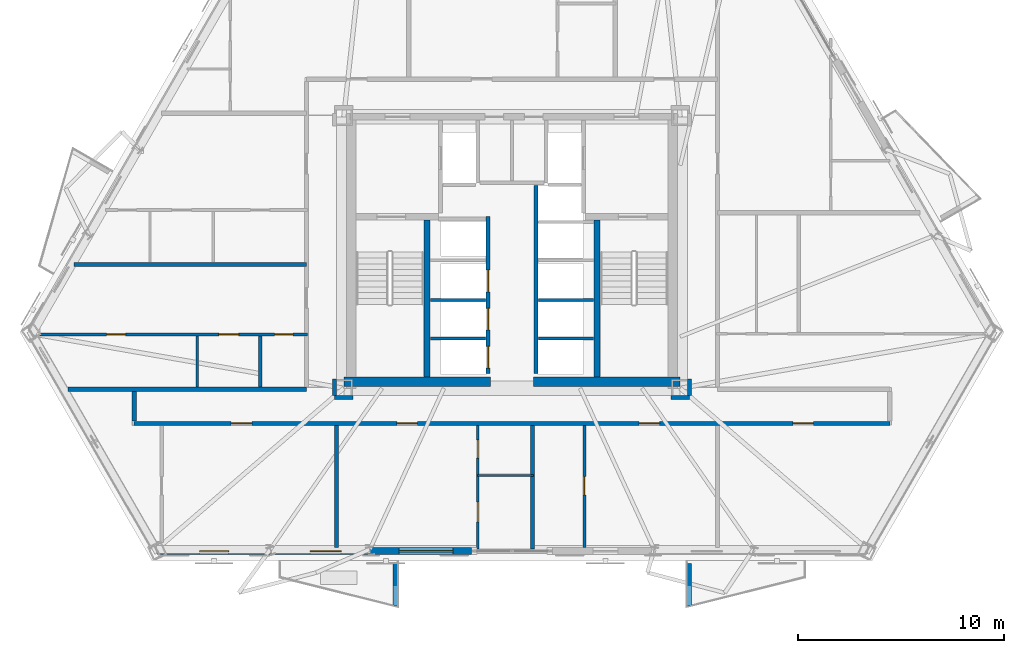
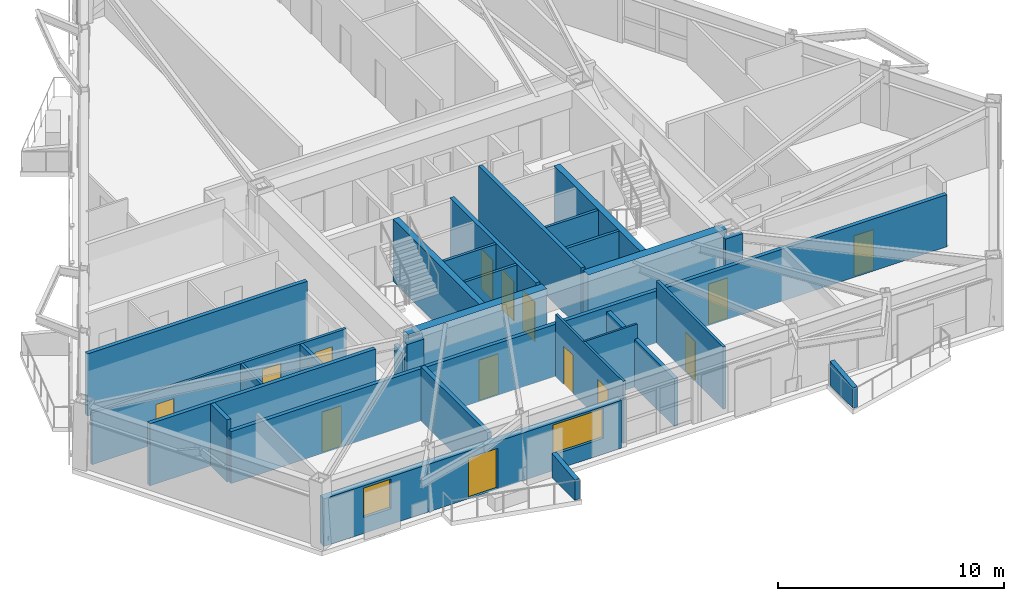
# One storey, part 7 of 15: 29 walls, 14 doors, 2 windows, 16 openings.
"""IFC4 building model written with IfcOpenShell, lengths in metres."""

from ifc_helpers import new_model, si_unit, direction, frame, frame_2d, origin, place, context, subcontext, project, spatial, polyline, rectangle, outline, extrude, material, layer, layer_set, type_object, element, fill, save


model = new_model("IFC4")

# Units and contexts
model_context = context("Model", 3, precision=1e-05, world=origin(), true_north=direction((0.0, 1.0)))
body_context = subcontext(model_context, "Body", "Model", "MODEL_VIEW")
ifc_project = project(units=[si_unit("LENGTHUNIT", "METRE"), si_unit("AREAUNIT", "SQUARE_METRE"), si_unit("VOLUMEUNIT", "CUBIC_METRE"), si_unit("PLANEANGLEUNIT", "RADIAN"), si_unit("MASSUNIT", "GRAM", prefix="KILO")], contexts=[model_context])

# Site, building, storey
site_placement = place(None, origin())
site = spatial("IfcSite", under=ifc_project, at=site_placement, CompositionType="ELEMENT")
building_placement = place(site_placement, origin())
building = spatial("IfcBuilding", under=site, at=building_placement, Name="Oramaril Tower", CompositionType="ELEMENT")
storey_placement = place(building_placement, frame((0.0, 0.0, 93.300048828125)))
storey = spatial("IfcBuildingStorey", under=building, at=storey_placement, Name="L24", CompositionType="ELEMENT", Elevation=93.300048828125)

# Wall, openings, door, windows
ifc_material_1 = material(Name="Warm Cream Limestone", Category="masonry")
ifc_layer_1 = layer(ifc_material_1, 0.340087890625)
ifc_layer_set_1 = layer_set([ifc_layer_1], Name="WT-EXT34")
wall_type_1 = type_object("IfcWallType", Name="WT-EXT34", PredefinedType="SOLIDWALL", material=ifc_layer_set_1)
wall_1_placement = place(storey_placement, frame((20.322021484375, 3.110107421875, 0.0), z_axis=(0.0, 0.0, 1.0), x_axis=(1.0, 0.0, 0.0)))
wall_1 = element("IfcWall", 1, at=wall_1_placement, inside=storey, type_object=wall_type_1, Name="L24 Tower Limestone Facade Wall 2L", PredefinedType="SOLIDWALL", context=body_context, shape_type="SweptSolid", body=[
    extrude(rectangle(XDim=15.22802734375, YDim=0.340087890625, at=frame_2d((7.614013671875, 0.0))), origin(), (0.0, 0.0, 1.0), 2.577880859375),
])
opening_1_placement = place(wall_1_placement, frame((7.404296875, 0.0, 0.0)))
opening_1 = element("IfcOpeningElement", 2, at=opening_1_placement, cuts=wall_1, Name="Opening D-L24-BAL-S1", PredefinedType="OPENING", context=body_context, shape_type="SweptSolid", body=[
    extrude(rectangle(XDim=1.5, YDim=2.199951171875, at=frame_2d((0.75, 1.10009765625))), frame((0.0, 0.169921875, 0.0), z_axis=(0.0, -1.0, 0.0), x_axis=(1.0, 0.0, 0.0)), (0.0, 0.0, 1.0), 0.340087890625),
])
opening_2_placement = place(wall_1_placement, frame((2.045166015625, 0.0, 0.85009765625)))
opening_2 = element("IfcOpeningElement", 3, at=opening_2_placement, cuts=wall_1, Name="Opening WN-08", PredefinedType="OPENING", context=body_context, shape_type="SweptSolid", body=[
    extrude(rectangle(XDim=1.39990234375, YDim=1.60009765625, at=frame_2d((0.699951171875, 0.800048828125))), frame((0.0, 0.169921875, 0.0), z_axis=(0.0, -1.0, 0.0), x_axis=(1.0, 0.0, 0.0)), (0.0, 0.0, 1.0), 0.340087890625),
])
opening_3_placement = place(wall_1_placement, frame((11.715087890625, 0.0, 0.85009765625)))
opening_3 = element("IfcOpeningElement", 4, at=opening_3_placement, cuts=wall_1, Name="Opening WN-02", PredefinedType="OPENING", context=body_context, shape_type="SweptSolid", body=[
    extrude(rectangle(XDim=2.60009765625, YDim=1.617919921875, at=frame_2d((1.300048828125, 0.80908203125))), frame((0.0, 0.169921875, 0.0), z_axis=(0.0, -1.0, 0.0), x_axis=(1.0, 0.0, 0.0)), (0.0, 0.0, 1.0), 0.340087890625),
])
ifc_material_2 = material(Name="Anodised Aluminium 6063-T6", Category="aluminium")
door_type_1 = type_object("IfcDoorType", Name="DT-BAL", OperationType="NOTDEFINED", PredefinedType="DOOR", material=ifc_material_2)
door_1_placement = place(opening_1_placement, origin())
door_1 = element("IfcDoor", 5, at=door_1_placement, inside=storey, type_object=door_type_1, Name="L24 Balcony Glazed Door L24-BAL-S1", OperationType="SINGLE_SWING_LEFT", OverallHeight=2.199951171875, OverallWidth=1.5, PredefinedType="DOOR", context=body_context, shape_type="SweptSolid", body=[
    extrude(rectangle(XDim=1.5, YDim=2.199951171875, at=frame_2d((0.75, 1.10009765625))), frame((0.0, 0.02490234375, 0.0), z_axis=(0.0, -1.0, 0.0), x_axis=(1.0, 0.0, 0.0)), (0.0, 0.0, 1.0), 0.050048828125),
])
fill(opening_1, door_1)
ifc_material_3 = material(Name="Coastal Low-E Insulated Glass", Category="glass")
window_type_1 = type_object("IfcWindowType", Name="WNT-02", PartitioningType="SINGLE_PANEL", PredefinedType="WINDOW", material=ifc_material_3)
window_1_placement = place(opening_3_placement, origin())
window_1 = element("IfcWindow", 6, at=window_1_placement, inside=storey, type_object=window_type_1, Name="L24 Chicago Bay Window WN-02", OverallHeight=1.617919921875, OverallWidth=2.60009765625, PartitioningType="SINGLE_PANEL", PredefinedType="WINDOW", context=body_context, shape_type="SweptSolid", body=[
    extrude(rectangle(XDim=2.60009765625, YDim=1.617919921875, at=frame_2d((1.300048828125, 0.80908203125))), frame((0.0, 0.030029296875, 0.0), z_axis=(0.0, -1.0, 0.0), x_axis=(1.0, 0.0, 0.0)), (0.0, 0.0, 1.0), 0.06005859375),
])
fill(opening_3, window_1)
ifc_material_4 = material(Name="Coastal Low-E Insulated Glass", Category="glass")
window_type_2 = type_object("IfcWindowType", Name="WNT-08", PartitioningType="SINGLE_PANEL", PredefinedType="WINDOW", material=ifc_material_4)
window_2_placement = place(opening_2_placement, origin())
window_2 = element("IfcWindow", 7, at=window_2_placement, inside=storey, type_object=window_type_2, Name="L24 Chicago Bay Window WN-08", OverallHeight=1.60009765625, OverallWidth=1.39990234375, PartitioningType="SINGLE_PANEL", PredefinedType="WINDOW", context=body_context, shape_type="SweptSolid", body=[
    extrude(rectangle(XDim=1.39990234375, YDim=1.60009765625, at=frame_2d((0.699951171875, 0.800048828125))), frame((0.0, 0.030029296875, 0.0), z_axis=(0.0, -1.0, 0.0), x_axis=(1.0, 0.0, 0.0)), (0.0, 0.0, 1.0), 0.06005859375),
])
fill(opening_2, window_2)

# Walls
ifc_material_5 = material(Name="Concrete C40/50", Category="concrete")
ifc_layer_2 = layer(ifc_material_5, 0.22998046875)
ifc_layer_set_2 = layer_set([ifc_layer_2], Name="WT-PRP23")
wall_type_2 = type_object("IfcWallType", Name="WT-PRP23", PredefinedType="PARAPET", material=ifc_layer_set_2)
for number, where, z_axis, x_axis, name in (
    (8, (31.851318359375, 2.511962890625, 0.0), (0.0, 0.0, 1.0), (0.0, -1.0, 0.0), "L24 Trapezoidal Balcony Frame Cheek L24-BAL-S1-R"),
    (9, (46.07373046875, 2.511962890625, 0.0), (0.0, 0.0, 1.0), (0.0, -1.0, 0.0), "L24 Trapezoidal Balcony Frame Cheek L24-BAL-S2-L"),
):
    element("IfcWall", number, at=place(storey_placement, frame(where, z_axis=z_axis, x_axis=x_axis)), inside=storey, type_object=wall_type_2, Name=name, PredefinedType="PARAPET", context=body_context, shape_type="SweptSolid", body=[
        extrude(outline(polyline([(0.0, 0.0), (2.0419921875, 0.0), (2.0419921875, 1.099853515625), (0.0, 1.320068359375), (0.0, 0.0)])), frame((0.0, 0.114990234375, 0.0), z_axis=(0.0, -1.0, 0.0), x_axis=(1.0, 0.0, 0.0)), (0.0, 0.0, 1.0), 0.22998046875),
    ])
ifc_material_6 = material(Name="Acoustic Gypsum Board Partition")
ifc_layer_3 = layer(ifc_material_6, 0.10009765625)
ifc_layer_set_3 = layer_set([ifc_layer_3], Name="WT-PT10")
wall_type_3 = type_object("IfcWallType", Name="WT-PT10", PredefinedType="PARTITIONING", material=ifc_layer_set_3)
wall_2_placement = place(storey_placement, frame((35.840087890625, 6.780029296875, 0.0), z_axis=(0.0, 0.0, 1.0), x_axis=(1.0, 0.0, 0.0)))
element("IfcWall", 10, at=wall_2_placement, inside=storey, type_object=wall_type_3, Name="L24 Interior Partition PT-10", PredefinedType="PARTITIONING", context=body_context, shape_type="SweptSolid", body=[
    extrude(rectangle(XDim=2.7099609375, YDim=0.10009765625, at=frame_2d((1.35498046875, 0.0))), origin(), (0.0, 0.0, 1.0), 3.35986328125),
])

# Wall, openings, doors
ifc_material_7 = material(Name="Acoustic Gypsum Board Partition")
ifc_layer_4 = layer(ifc_material_7, 0.1201171875)
ifc_layer_set_4 = layer_set([ifc_layer_4], Name="WT-PT12")
wall_type_4 = type_object("IfcWallType", Name="WT-PT12", PredefinedType="PARTITIONING", material=ifc_layer_set_4)
wall_3_placement = place(storey_placement, frame((35.840087890625, 3.2041015625, 0.0), z_axis=(0.0, 0.0, 1.0), x_axis=(0.0, 1.0, 0.0)))
wall_3 = element("IfcWall", 11, at=wall_3_placement, inside=storey, type_object=wall_type_4, Name="L24 Interior Partition PT-12", PredefinedType="PARTITIONING", context=body_context, shape_type="SweptSolid", body=[
    extrude(rectangle(XDim=5.991943359375, YDim=0.1201171875, at=frame_2d((2.99609375, 0.0))), origin(), (0.0, 0.0, 1.0), 3.35986328125),
])
opening_4_placement = place(wall_3_placement, frame((1.325927734375, 0.0, 0.0)))
opening_4 = element("IfcOpeningElement", 12, at=opening_4_placement, cuts=wall_3, Name="Opening D-L24-23", PredefinedType="OPENING", context=body_context, shape_type="SweptSolid", body=[
    extrude(rectangle(XDim=0.949951171875, YDim=2.10009765625, at=frame_2d((0.47509765625, 1.050048828125))), frame((0.0, 0.06005859375, 0.0), z_axis=(0.0, -1.0, 0.0), x_axis=(1.0, 0.0, 0.0)), (0.0, 0.0, 1.0), 0.1201171875),
])
opening_5_placement = place(wall_3_placement, frame((4.410888671875, 0.0, 0.0)))
opening_5 = element("IfcOpeningElement", 13, at=opening_5_placement, cuts=wall_3, Name="Opening D-L24-24", PredefinedType="OPENING", context=body_context, shape_type="SweptSolid", body=[
    extrude(rectangle(XDim=0.8798828125, YDim=2.080078125, at=frame_2d((0.43994140625, 1.0400390625))), frame((0.0, 0.06005859375, 0.0), z_axis=(0.0, -1.0, 0.0), x_axis=(1.0, 0.0, 0.0)), (0.0, 0.0, 1.0), 0.1201171875),
])
ifc_material_8 = material(Name="FSC Brazilian Freijo Hardwood", Category="wood")
door_type_2 = type_object("IfcDoorType", Name="DT-BATH", OperationType="NOTDEFINED", PredefinedType="DOOR", material=ifc_material_8)
door_2_placement = place(opening_5_placement, origin())
door_2 = element("IfcDoor", 14, at=door_2_placement, inside=storey, type_object=door_type_2, Name="L24 Flat L24-U2 Bathroom Door D-L24-24", OperationType="SINGLE_SWING_RIGHT", OverallHeight=2.080078125, OverallWidth=0.8798828125, PredefinedType="DOOR", context=body_context, shape_type="SweptSolid", body=[
    extrude(rectangle(XDim=0.8798828125, YDim=2.080078125, at=frame_2d((0.43994140625, 1.0400390625))), frame((0.0, 0.02490234375, 0.0), z_axis=(0.0, -1.0, 0.0), x_axis=(1.0, 0.0, 0.0)), (0.0, 0.0, 1.0), 0.050048828125),
])
fill(opening_5, door_2)
ifc_material_9 = material(Name="FSC Brazilian Freijo Hardwood", Category="wood")
door_type_3 = type_object("IfcDoorType", Name="DT-STDY", OperationType="NOTDEFINED", PredefinedType="DOOR", material=ifc_material_9)
door_3_placement = place(opening_4_placement, origin())
door_3 = element("IfcDoor", 15, at=door_3_placement, inside=storey, type_object=door_type_3, Name="L24 Flat L24-U2 Kitchen Door D-L24-23", OperationType="SINGLE_SWING_LEFT", OverallHeight=2.10009765625, OverallWidth=0.949951171875, PredefinedType="DOOR", context=body_context, shape_type="SweptSolid", body=[
    extrude(rectangle(XDim=0.949951171875, YDim=2.10009765625, at=frame_2d((0.47509765625, 1.050048828125))), frame((0.0, 0.02490234375, 0.0), z_axis=(0.0, -1.0, 0.0), x_axis=(1.0, 0.0, 0.0)), (0.0, 0.0, 1.0), 0.050048828125),
])
fill(opening_4, door_3)

# Walls
ifc_material_10 = material(Name="Acoustic Gypsum Board Partition")
ifc_layer_5 = layer(ifc_material_10, 0.139892578125)
ifc_layer_set_5 = layer_set([ifc_layer_5], Name="WT-PT14")
wall_type_5 = type_object("IfcWallType", Name="WT-PT14", PredefinedType="PARTITIONING", material=ifc_layer_set_5)
for number, where, z_axis, x_axis, name in (
    (16, (33.56005859375, 13.419921875, 0.0), (0.0, 0.0, 1.0), (1.0, 0.0, 0.0), "L24 West Lift Divider"),
    (17, (33.56005859375, 15.27001953125, 0.0), (0.0, 0.0, 1.0), (1.0, 0.0, 0.0), "L24 West Lift Divider"),
    (18, (38.780029296875, 13.419921875, 0.0), (0.0, 0.0, 1.0), (1.0, 0.0, 0.0), "L24 East Lift Divider"),
    (19, (38.780029296875, 15.27001953125, 0.0), (0.0, 0.0, 1.0), (1.0, 0.0, 0.0), "L24 East Lift Divider"),
):
    element("IfcWall", number, at=place(storey_placement, frame(where, z_axis=z_axis, x_axis=x_axis)), inside=storey, type_object=wall_type_5, Name=name, PredefinedType="PARTITIONING", context=body_context, shape_type="SweptSolid", body=[
        extrude(rectangle(XDim=2.659912109375, YDim=0.139892578125, at=frame_2d((1.330078125, 0.0))), origin(), (0.0, 0.0, 1.0), 3.35986328125),
    ])

# Wall, openings, doors
wall_4_placement = place(storey_placement, frame((14.590576171875, 13.610107421875, 0.0), z_axis=(0.0, 0.0, 1.0), x_axis=(1.0, 0.0, 0.0)))
wall_4 = element("IfcWall", 20, at=wall_4_placement, inside=storey, type_object=wall_type_5, Name="L24 Interior Partition PT-14", PredefinedType="PARTITIONING", context=body_context, shape_type="SweptSolid", body=[
    extrude(rectangle(XDim=13.009521484375, YDim=0.139892578125, at=frame_2d((6.5048828125, 0.0))), origin(), (0.0, 0.0, 1.0), 2.81396484375),
])
opening_6_placement = place(wall_4_placement, frame((3.277099609375, 0.0, 0.0)))
opening_6 = element("IfcOpeningElement", 21, at=opening_6_placement, cuts=wall_4, Name="Opening D-L24-05", PredefinedType="OPENING", context=body_context, shape_type="SweptSolid", body=[
    extrude(rectangle(XDim=0.919921875, YDim=2.1201171875, at=frame_2d((0.4599609375, 1.06005859375))), frame((0.0, 0.06982421875, 0.0), z_axis=(0.0, -1.0, 0.0), x_axis=(1.0, 0.0, 0.0)), (0.0, 0.0, 1.0), 0.139892578125),
])
opening_7_placement = place(wall_4_placement, frame((8.712646484375, 0.0, 0.0)))
opening_7 = element("IfcOpeningElement", 22, at=opening_7_placement, cuts=wall_4, Name="Opening D-L24-06", PredefinedType="OPENING", context=body_context, shape_type="SweptSolid", body=[
    extrude(rectangle(XDim=0.949951171875, YDim=2.10009765625, at=frame_2d((0.47509765625, 1.050048828125))), frame((0.0, 0.06982421875, 0.0), z_axis=(0.0, -1.0, 0.0), x_axis=(1.0, 0.0, 0.0)), (0.0, 0.0, 1.0), 0.139892578125),
])
opening_8_placement = place(wall_4_placement, frame((11.410888671875, 0.0, 0.0)))
opening_8 = element("IfcOpeningElement", 23, at=opening_8_placement, cuts=wall_4, Name="Opening D-L24-07", PredefinedType="OPENING", context=body_context, shape_type="SweptSolid", body=[
    extrude(rectangle(XDim=0.8798828125, YDim=2.080078125, at=frame_2d((0.43994140625, 1.0400390625))), frame((0.0, 0.06982421875, 0.0), z_axis=(0.0, -1.0, 0.0), x_axis=(1.0, 0.0, 0.0)), (0.0, 0.0, 1.0), 0.139892578125),
])
door_4_placement = place(opening_8_placement, origin())
door_4 = element("IfcDoor", 24, at=door_4_placement, inside=storey, type_object=door_type_2, Name="L24 Flat L24-U4 Bathroom Door D-L24-07", OperationType="SINGLE_SWING_LEFT", OverallHeight=2.080078125, OverallWidth=0.8798828125, PredefinedType="DOOR", context=body_context, shape_type="SweptSolid", body=[
    extrude(rectangle(XDim=0.8798828125, YDim=2.080078125, at=frame_2d((0.43994140625, 1.0400390625))), frame((0.0, 0.02490234375, 0.0), z_axis=(0.0, -1.0, 0.0), x_axis=(1.0, 0.0, 0.0)), (0.0, 0.0, 1.0), 0.050048828125),
])
fill(opening_8, door_4)
ifc_material_11 = material(Name="FSC Brazilian Freijo Hardwood", Category="wood")
door_type_4 = type_object("IfcDoorType", Name="DT-BED", OperationType="NOTDEFINED", PredefinedType="DOOR", material=ifc_material_11)
door_5_placement = place(opening_6_placement, origin())
door_5 = element("IfcDoor", 25, at=door_5_placement, inside=storey, type_object=door_type_4, Name="L24 Flat L24-U4 Master Bedroom Door D-L24-05", OperationType="SINGLE_SWING_LEFT", OverallHeight=2.1201171875, OverallWidth=0.919921875, PredefinedType="DOOR", context=body_context, shape_type="SweptSolid", body=[
    extrude(rectangle(XDim=0.919921875, YDim=2.1201171875, at=frame_2d((0.4599609375, 1.06005859375))), frame((0.0, 0.02490234375, 0.0), z_axis=(0.0, -1.0, 0.0), x_axis=(1.0, 0.0, 0.0)), (0.0, 0.0, 1.0), 0.050048828125),
])
fill(opening_6, door_5)
door_6_placement = place(opening_7_placement, origin())
door_6 = element("IfcDoor", 26, at=door_6_placement, inside=storey, type_object=door_type_3, Name="L24 Flat L24-U4 Kitchen Door D-L24-06", OperationType="SINGLE_SWING_RIGHT", OverallHeight=2.10009765625, OverallWidth=0.949951171875, PredefinedType="DOOR", context=body_context, shape_type="SweptSolid", body=[
    extrude(rectangle(XDim=0.949951171875, YDim=2.10009765625, at=frame_2d((0.47509765625, 1.050048828125))), frame((0.0, 0.02490234375, 0.0), z_axis=(0.0, -1.0, 0.0), x_axis=(1.0, 0.0, 0.0)), (0.0, 0.0, 1.0), 0.050048828125),
])
fill(opening_7, door_6)

# Wall
wall_5_placement = place(storey_placement, frame((22.25, 11.053955078125, 0.0), z_axis=(0.0, 0.0, 1.0), x_axis=(0.0, 1.0, 0.0)))
element("IfcWall", 27, at=wall_5_placement, inside=storey, type_object=wall_type_5, Name="L24 Interior Partition PT-14", PredefinedType="PARTITIONING", context=body_context, shape_type="SweptSolid", body=[
    extrude(rectangle(XDim=2.48193359375, YDim=0.139892578125, at=frame_2d((1.240966796875, 0.0))), origin(), (0.0, 0.0, 1.0), 2.81396484375),
])

# Wall, opening, door
wall_6_placement = place(storey_placement, frame((41.010009765625, 3.283935546875, 0.0), z_axis=(0.0, 0.0, 1.0), x_axis=(0.0, 1.0, 0.0)))
wall_6 = element("IfcWall", 28, at=wall_6_placement, inside=storey, type_object=wall_type_5, Name="L24 Interior Partition PT-14", PredefinedType="PARTITIONING", context=body_context, shape_type="SweptSolid", body=[
    extrude(rectangle(XDim=5.912109375, YDim=0.139892578125, at=frame_2d((2.9560546875, 0.0))), origin(), (0.0, 0.0, 1.0), 3.35986328125),
])
opening_9_placement = place(wall_6_placement, frame((2.555908203125, 0.0, 0.0)))
opening_9 = element("IfcOpeningElement", 29, at=opening_9_placement, cuts=wall_6, Name="Opening D-L24-31", PredefinedType="OPENING", context=body_context, shape_type="SweptSolid", body=[
    extrude(rectangle(XDim=0.8798828125, YDim=2.080078125, at=frame_2d((0.43994140625, 1.0400390625))), frame((0.0, 0.06982421875, 0.0), z_axis=(0.0, -1.0, 0.0), x_axis=(1.0, 0.0, 0.0)), (0.0, 0.0, 1.0), 0.139892578125),
])
door_7_placement = place(opening_9_placement, origin())
door_7 = element("IfcDoor", 30, at=door_7_placement, inside=storey, type_object=door_type_2, Name="L24 Flat L24-U3 Bathroom Door D-L24-31", OperationType="SINGLE_SWING_LEFT", OverallHeight=2.080078125, OverallWidth=0.8798828125, PredefinedType="DOOR", context=body_context, shape_type="SweptSolid", body=[
    extrude(rectangle(XDim=0.8798828125, YDim=2.080078125, at=frame_2d((0.43994140625, 1.0400390625))), frame((0.0, 0.02490234375, 0.0), z_axis=(0.0, -1.0, 0.0), x_axis=(1.0, 0.0, 0.0)), (0.0, 0.0, 1.0), 0.050048828125),
])
fill(opening_9, door_7)

# Wall
ifc_material_12 = material(Name="Acoustic Gypsum Board Partition")
ifc_layer_6 = layer(ifc_material_12, 0.159912109375)
ifc_layer_set_6 = layer_set([ifc_layer_6], Name="WT-PT16")
wall_type_6 = type_object("IfcWallType", Name="WT-PT16", PredefinedType="PARTITIONING", material=ifc_layer_set_6)
wall_7_placement = place(storey_placement, frame((25.300048828125, 11.053955078125, 0.0), z_axis=(0.0, 0.0, 1.0), x_axis=(0.0, 1.0, 0.0)))
element("IfcWall", 31, at=wall_7_placement, inside=storey, type_object=wall_type_6, Name="L24 Interior Partition PT-16", PredefinedType="PARTITIONING", context=body_context, shape_type="SweptSolid", body=[
    extrude(rectangle(XDim=2.48193359375, YDim=0.159912109375, at=frame_2d((1.240966796875, 0.0))), origin(), (0.0, 0.0, 1.0), 2.81396484375),
])

# Wall, openings, doors
ifc_material_13 = material(Name="Autoclaved Cellular Concrete Block", Category="concrete")
ifc_layer_7 = layer(ifc_material_13, 0.199951171875)
ifc_layer_set_7 = layer_set([ifc_layer_7], Name="WT-PT20")
wall_type_7 = type_object("IfcWallType", Name="WT-PT20", PredefinedType="PARTITIONING", material=ifc_layer_set_7)
wall_8_placement = place(storey_placement, frame((19.199951171875, 9.300048828125, 0.0), z_axis=(0.0, 0.0, 1.0), x_axis=(1.0, 0.0, 0.0)))
wall_8 = element("IfcWall", 32, at=wall_8_placement, inside=storey, type_object=wall_type_7, Name="L24 Interior Partition PT-20", PredefinedType="PARTITIONING", context=body_context, shape_type="SweptSolid", body=[
    extrude(rectangle(XDim=36.60009765625, YDim=0.199951171875, at=frame_2d((18.300048828125, 0.0))), origin(), (0.0, 0.0, 1.0), 2.81396484375),
])
opening_10_placement = place(wall_8_placement, frame((4.693603515625, 0.0, 0.0)))
opening_10 = element("IfcOpeningElement", 33, at=opening_10_placement, cuts=wall_8, Name="Opening D-L24-01", PredefinedType="OPENING", context=body_context, shape_type="SweptSolid", body=[
    extrude(rectangle(XDim=1.0, YDim=2.179931640625, at=frame_2d((0.5, 1.08984375))), frame((0.0, 0.10009765625, 0.0), z_axis=(0.0, -1.0, 0.0), x_axis=(1.0, 0.0, 0.0)), (0.0, 0.0, 1.0), 0.199951171875),
])
opening_11_placement = place(wall_8_placement, frame((12.719970703125, 0.0, 0.0)))
opening_11 = element("IfcOpeningElement", 34, at=opening_11_placement, cuts=wall_8, Name="Opening D-L24-02", PredefinedType="OPENING", context=body_context, shape_type="SweptSolid", body=[
    extrude(rectangle(XDim=1.0, YDim=2.179931640625, at=frame_2d((0.5, 1.08984375))), frame((0.0, 0.10009765625, 0.0), z_axis=(0.0, -1.0, 0.0), x_axis=(1.0, 0.0, 0.0)), (0.0, 0.0, 1.0), 0.199951171875),
])
opening_12_placement = place(wall_8_placement, frame((24.452880859375, 0.0, 0.0)))
opening_12 = element("IfcOpeningElement", 35, at=opening_12_placement, cuts=wall_8, Name="Opening D-L24-03", PredefinedType="OPENING", context=body_context, shape_type="SweptSolid", body=[
    extrude(rectangle(XDim=1.0, YDim=2.179931640625, at=frame_2d((0.5, 1.08984375))), frame((0.0, 0.10009765625, 0.0), z_axis=(0.0, -1.0, 0.0), x_axis=(1.0, 0.0, 0.0)), (0.0, 0.0, 1.0), 0.199951171875),
])
opening_13_placement = place(wall_8_placement, frame((31.904052734375, 0.0, 0.0)))
opening_13 = element("IfcOpeningElement", 36, at=opening_13_placement, cuts=wall_8, Name="Opening D-L24-04", PredefinedType="OPENING", context=body_context, shape_type="SweptSolid", body=[
    extrude(rectangle(XDim=1.0, YDim=2.179931640625, at=frame_2d((0.5, 1.08984375))), frame((0.0, 0.10009765625, 0.0), z_axis=(0.0, -1.0, 0.0), x_axis=(1.0, 0.0, 0.0)), (0.0, 0.0, 1.0), 0.199951171875),
])
ifc_material_14 = material(Name="FSC Brazilian Freijo Hardwood", Category="wood")
door_type_5 = type_object("IfcDoorType", Name="DT-APT", OperationType="NOTDEFINED", PredefinedType="DOOR", material=ifc_material_14)
door_8_placement = place(opening_10_placement, origin())
door_8 = element("IfcDoor", 37, at=door_8_placement, inside=storey, type_object=door_type_5, Name="L24 Flat L24-U1 Kitchen and Studio Apartment Door D-L24-01", OperationType="SINGLE_SWING_LEFT", OverallHeight=2.179931640625, OverallWidth=1.0, PredefinedType="DOOR", context=body_context, shape_type="SweptSolid", body=[
    extrude(rectangle(XDim=1.0, YDim=2.179931640625, at=frame_2d((0.5, 1.08984375))), frame((0.0, 0.02490234375, 0.0), z_axis=(0.0, -1.0, 0.0), x_axis=(1.0, 0.0, 0.0)), (0.0, 0.0, 1.0), 0.050048828125),
])
fill(opening_10, door_8)
door_9_placement = place(opening_11_placement, origin())
door_9 = element("IfcDoor", 38, at=door_9_placement, inside=storey, type_object=door_type_5, Name="L24 Flat L24-U2 Studio Apartment Door D-L24-02", OperationType="SINGLE_SWING_RIGHT", OverallHeight=2.179931640625, OverallWidth=1.0, PredefinedType="DOOR", context=body_context, shape_type="SweptSolid", body=[
    extrude(rectangle(XDim=1.0, YDim=2.179931640625, at=frame_2d((0.5, 1.08984375))), frame((0.0, 0.02490234375, 0.0), z_axis=(0.0, -1.0, 0.0), x_axis=(1.0, 0.0, 0.0)), (0.0, 0.0, 1.0), 0.050048828125),
])
fill(opening_11, door_9)
door_10_placement = place(opening_12_placement, origin())
door_10 = element("IfcDoor", 39, at=door_10_placement, inside=storey, type_object=door_type_5, Name="L24 Flat L24-U3 Kitchen and Studio Apartment Door D-L24-03", OperationType="SINGLE_SWING_LEFT", OverallHeight=2.179931640625, OverallWidth=1.0, PredefinedType="DOOR", context=body_context, shape_type="SweptSolid", body=[
    extrude(rectangle(XDim=1.0, YDim=2.179931640625, at=frame_2d((0.5, 1.08984375))), frame((0.0, 0.02490234375, 0.0), z_axis=(0.0, -1.0, 0.0), x_axis=(1.0, 0.0, 0.0)), (0.0, 0.0, 1.0), 0.050048828125),
])
fill(opening_12, door_10)
door_11_placement = place(opening_13_placement, origin())
door_11 = element("IfcDoor", 40, at=door_11_placement, inside=storey, type_object=door_type_5, Name="L24 Flat L24-U6 Penthouse Living and Dining Room Door D-L24-04", OperationType="SINGLE_SWING_RIGHT", OverallHeight=2.179931640625, OverallWidth=1.0, PredefinedType="DOOR", context=body_context, shape_type="SweptSolid", body=[
    extrude(rectangle(XDim=1.0, YDim=2.179931640625, at=frame_2d((0.5, 1.08984375))), frame((0.0, 0.02490234375, 0.0), z_axis=(0.0, -1.0, 0.0), x_axis=(1.0, 0.0, 0.0)), (0.0, 0.0, 1.0), 0.050048828125),
])
fill(opening_13, door_11)

# Walls
for number, where, z_axis, x_axis, name in (
    (41, (28.905029296875, 10.550048828125, 0.0), (0.0, 0.0, 1.0), (1.0, 0.0, 0.0), "L24 Interior Partition PT-20"),
    (42, (45.205078125, 10.550048828125, 0.0), (0.0, 0.0, 1.0), (1.0, 0.0, 0.0), "L24 Interior Partition PT-20"),
):
    element("IfcWall", number, at=place(storey_placement, frame(where, z_axis=z_axis, x_axis=x_axis)), inside=storey, type_object=wall_type_7, Name=name, PredefinedType="PARTITIONING", context=body_context, shape_type="SweptSolid", body=[
        extrude(rectangle(XDim=0.889892578125, YDim=0.199951171875, at=frame_2d((0.44482421875, 0.0))), origin(), (0.0, 0.0, 1.0), 3.35986328125),
    ])
wall_9_placement = place(storey_placement, frame((15.996337890625, 10.949951171875, 0.0), z_axis=(0.0, 0.0, 1.0), x_axis=(1.0, 0.0, 0.0)))
element("IfcWall", 43, at=wall_9_placement, inside=storey, type_object=wall_type_7, Name="L24 Interior Partition PT-20", PredefinedType="PARTITIONING", context=body_context, shape_type="SweptSolid", body=[
    extrude(rectangle(XDim=11.5537109375, YDim=0.199951171875, at=frame_2d((5.77685546875, 0.0))), origin(), (0.0, 0.0, 1.0), 3.35986328125),
])
wall_10_placement = place(storey_placement, frame((16.292724609375, 17.0, 0.0), z_axis=(0.0, 0.0, 1.0), x_axis=(1.0, 0.0, 0.0)))
element("IfcWall", 44, at=wall_10_placement, inside=storey, type_object=wall_type_7, Name="L24 Interior Partition PT-20", PredefinedType="PARTITIONING", context=body_context, shape_type="SweptSolid", body=[
    extrude(rectangle(XDim=11.25732421875, YDim=0.199951171875, at=frame_2d((5.628662109375, 0.0))), origin(), (0.0, 0.0, 1.0), 3.35986328125),
])
wall_11_placement = place(storey_placement, frame((19.199951171875, 9.404052734375, 0.0), z_axis=(0.0, 0.0, 1.0), x_axis=(0.0, 1.0, 0.0)))
element("IfcWall", 45, at=wall_11_placement, inside=storey, type_object=wall_type_7, Name="L24 Interior Partition PT-20", PredefinedType="PARTITIONING", context=body_context, shape_type="SweptSolid", body=[
    extrude(rectangle(XDim=1.44189453125, YDim=0.199951171875, at=frame_2d((0.720947265625, 0.0))), origin(), (0.0, 0.0, 1.0), 3.35986328125),
])
wall_12_placement = place(storey_placement, frame((28.909912109375, 10.654052734375, 0.0), z_axis=(0.0, 0.0, 1.0), x_axis=(0.0, 1.0, 0.0)))
element("IfcWall", 46, at=wall_12_placement, inside=storey, type_object=wall_type_7, Name="L24 Interior Partition PT-20", PredefinedType="PARTITIONING", context=body_context, shape_type="SweptSolid", body=[
    extrude(rectangle(XDim=0.785888671875, YDim=0.199951171875, at=frame_2d((0.39306640625, 0.0))), origin(), (0.0, 0.0, 1.0), 2.81396484375),
])
wall_13_placement = place(storey_placement, frame((29.0, 3.283935546875, 0.0), z_axis=(0.0, 0.0, 1.0), x_axis=(0.0, 1.0, 0.0)))
element("IfcWall", 47, at=wall_13_placement, inside=storey, type_object=wall_type_7, Name="L24 Interior Partition PT-20", PredefinedType="PARTITIONING", context=body_context, shape_type="SweptSolid", body=[
    extrude(rectangle(XDim=5.912109375, YDim=0.199951171875, at=frame_2d((2.9560546875, 0.0))), origin(), (0.0, 0.0, 1.0), 2.946044921875),
])
wall_14_placement = place(storey_placement, frame((38.5, 3.2041015625, 0.0), z_axis=(0.0, 0.0, 1.0), x_axis=(0.0, 1.0, 0.0)))
element("IfcWall", 48, at=wall_14_placement, inside=storey, type_object=wall_type_7, Name="L24 Interior Partition PT-20", PredefinedType="PARTITIONING", context=body_context, shape_type="SweptSolid", body=[
    extrude(rectangle(XDim=5.991943359375, YDim=0.199951171875, at=frame_2d((2.99609375, 0.0))), origin(), (0.0, 0.0, 1.0), 2.577880859375),
])
wall_15_placement = place(storey_placement, frame((46.090087890625, 10.654052734375, 0.0), z_axis=(0.0, 0.0, 1.0), x_axis=(0.0, 1.0, 0.0)))
element("IfcWall", 49, at=wall_15_placement, inside=storey, type_object=wall_type_7, Name="L24 Interior Partition PT-20", PredefinedType="PARTITIONING", context=body_context, shape_type="SweptSolid", body=[
    extrude(rectangle(XDim=0.791015625, YDim=0.199951171875, at=frame_2d((0.3955078125, 0.0))), origin(), (0.0, 0.0, 1.0), 2.81396484375),
])
ifc_material_15 = material(Name="Concrete C50/60", Category="concrete")
ifc_layer_8 = layer(ifc_material_15, 0.300048828125)
ifc_layer_set_8 = layer_set([ifc_layer_8], Name="WT-SH30")
wall_type_8 = type_object("IfcWallType", Name="WT-SH30", PredefinedType="SHEAR", material=ifc_layer_set_8)
for number, where, z_axis, x_axis, name in (
    (50, (33.3798828125, 11.5400390625, 0.0), (0.0, 0.0, 1.0), (0.0, 1.0, 0.0), "L24 Core Shear Wall CW-ST1E"),
    (51, (41.6201171875, 11.5400390625, 0.0), (0.0, 0.0, 1.0), (0.0, 1.0, 0.0), "L24 Core Shear Wall CW-ST2W"),
):
    element("IfcWall", number, at=place(storey_placement, frame(where, z_axis=z_axis, x_axis=x_axis)), inside=storey, type_object=wall_type_8, Name=name, PredefinedType="SHEAR", context=body_context, shape_type="SweptSolid", body=[
        extrude(rectangle(XDim=7.619873046875, YDim=0.300048828125, at=frame_2d((3.81005859375, 0.0))), origin(), (0.0, 0.0, 1.0), 3.35986328125),
    ])
ifc_material_16 = material(Name="Concrete C50/60", Category="concrete")
ifc_layer_9 = layer(ifc_material_16, 0.449951171875)
ifc_layer_set_9 = layer_set([ifc_layer_9], Name="WT-SH45")
wall_type_9 = type_object("IfcWallType", Name="WT-SH45", PredefinedType="SHEAR", material=ifc_layer_set_9)
for number, where, z_axis, x_axis, name in (
    (52, (29.35009765625, 11.31494140625, 0.0), (0.0, 0.0, 1.0), (1.0, 0.0, 0.0), "L24 Core Shear Wall CW-SW"),
    (53, (38.550048828125, 11.31494140625, 0.0), (0.0, 0.0, 1.0), (1.0, 0.0, 0.0), "L24 Core Shear Wall CW-SE"),
):
    element("IfcWall", number, at=place(storey_placement, frame(where, z_axis=z_axis, x_axis=x_axis)), inside=storey, type_object=wall_type_9, Name=name, PredefinedType="SHEAR", context=body_context, shape_type="SweptSolid", body=[
        extrude(rectangle(XDim=7.099853515625, YDim=0.449951171875, at=frame_2d((3.5498046875, 0.0))), origin(), (0.0, 0.0, 1.0), 3.35986328125),
    ])

# Wall, openings, doors
ifc_material_17 = material(Name="Autoclaved Cellular Concrete Block", Category="concrete")
ifc_layer_10 = layer(ifc_material_17, 0.199951171875)
ifc_layer_set_10 = layer_set([ifc_layer_10], Name="WT-SHF20")
wall_type_10 = type_object("IfcWallType", Name="WT-SHF20", PredefinedType="PARTITIONING", material=ifc_layer_set_10)
wall_16_placement = place(storey_placement, frame((36.340087890625, 11.719970703125, 0.0), z_axis=(0.0, 0.0, 1.0), x_axis=(0.0, 1.0, 0.0)))
wall_16 = element("IfcWall", 54, at=wall_16_placement, inside=storey, type_object=wall_type_10, Name="L24 West Lift Bank Front Wall", PredefinedType="PARTITIONING", context=body_context, shape_type="SweptSolid", body=[
    extrude(rectangle(XDim=7.60009765625, YDim=0.199951171875, at=frame_2d((3.800048828125, 0.0))), origin(), (0.0, 0.0, 1.0), 3.35986328125),
])
opening_14_placement = place(wall_16_placement, frame((0.2548828125, 0.0, 0.0)))
opening_14 = element("IfcOpeningElement", 55, at=opening_14_placement, cuts=wall_16, Name="Opening LD-L24-LP-L1", PredefinedType="OPENING", context=body_context, shape_type="SweptSolid", body=[
    extrude(rectangle(XDim=1.050048828125, YDim=2.14990234375, at=frame_2d((0.52490234375, 1.074951171875))), frame((0.0, 0.10009765625, 0.0), z_axis=(0.0, -1.0, 0.0), x_axis=(1.0, 0.0, 0.0)), (0.0, 0.0, 1.0), 0.199951171875),
])
opening_15_placement = place(wall_16_placement, frame((2.10498046875, 0.0, 0.0)))
opening_15 = element("IfcOpeningElement", 56, at=opening_15_placement, cuts=wall_16, Name="Opening LD-L24-LP-L2", PredefinedType="OPENING", context=body_context, shape_type="SweptSolid", body=[
    extrude(rectangle(XDim=1.050048828125, YDim=2.14990234375, at=frame_2d((0.52490234375, 1.074951171875))), frame((0.0, 0.10009765625, 0.0), z_axis=(0.0, -1.0, 0.0), x_axis=(1.0, 0.0, 0.0)), (0.0, 0.0, 1.0), 0.199951171875),
])
opening_16_placement = place(wall_16_placement, frame((3.955078125, 0.0, 0.0)))
opening_16 = element("IfcOpeningElement", 57, at=opening_16_placement, cuts=wall_16, Name="Opening LD-L24-LP-L3", PredefinedType="OPENING", context=body_context, shape_type="SweptSolid", body=[
    extrude(rectangle(XDim=1.050048828125, YDim=2.14990234375, at=frame_2d((0.52490234375, 1.074951171875))), frame((0.0, 0.10009765625, 0.0), z_axis=(0.0, -1.0, 0.0), x_axis=(1.0, 0.0, 0.0)), (0.0, 0.0, 1.0), 0.199951171875),
])
ifc_material_18 = material(Name="Stainless Steel 316L", Category="steel")
door_type_6 = type_object("IfcDoorType", Name="DT-LD2", OperationType="NOTDEFINED", PredefinedType="DOOR", material=ifc_material_18)
door_12_placement = place(opening_14_placement, origin())
door_12 = element("IfcDoor", 58, at=door_12_placement, inside=storey, type_object=door_type_6, Name="L24 Lift LP-L1 Sliding Landing Door", OperationType="SLIDING_TO_LEFT", OverallHeight=2.14990234375, OverallWidth=1.050048828125, PredefinedType="DOOR", context=body_context, shape_type="SweptSolid", body=[
    extrude(rectangle(XDim=1.050048828125, YDim=2.14990234375, at=frame_2d((0.52490234375, 1.074951171875))), frame((0.0, 0.02490234375, 0.0), z_axis=(0.0, -1.0, 0.0), x_axis=(1.0, 0.0, 0.0)), (0.0, 0.0, 1.0), 0.050048828125),
])
fill(opening_14, door_12)
door_13_placement = place(opening_15_placement, origin())
door_13 = element("IfcDoor", 59, at=door_13_placement, inside=storey, type_object=door_type_6, Name="L24 Lift LP-L2 Sliding Landing Door", OperationType="SLIDING_TO_RIGHT", OverallHeight=2.14990234375, OverallWidth=1.050048828125, PredefinedType="DOOR", context=body_context, shape_type="SweptSolid", body=[
    extrude(rectangle(XDim=1.050048828125, YDim=2.14990234375, at=frame_2d((0.52490234375, 1.074951171875))), frame((0.0, 0.02490234375, 0.0), z_axis=(0.0, -1.0, 0.0), x_axis=(1.0, 0.0, 0.0)), (0.0, 0.0, 1.0), 0.050048828125),
])
fill(opening_15, door_13)
door_14_placement = place(opening_16_placement, origin())
door_14 = element("IfcDoor", 60, at=door_14_placement, inside=storey, type_object=door_type_6, Name="L24 Lift LP-L3 Sliding Landing Door", OperationType="SLIDING_TO_LEFT", OverallHeight=2.14990234375, OverallWidth=1.050048828125, PredefinedType="DOOR", context=body_context, shape_type="SweptSolid", body=[
    extrude(rectangle(XDim=1.050048828125, YDim=2.14990234375, at=frame_2d((0.52490234375, 1.074951171875))), frame((0.0, 0.02490234375, 0.0), z_axis=(0.0, -1.0, 0.0), x_axis=(1.0, 0.0, 0.0)), (0.0, 0.0, 1.0), 0.050048828125),
])
fill(opening_16, door_14)

# Wall
wall_17_placement = place(storey_placement, frame((38.659912109375, 11.719970703125, 0.0), z_axis=(0.0, 0.0, 1.0), x_axis=(0.0, 1.0, 0.0)))
element("IfcWall", 61, at=wall_17_placement, inside=storey, type_object=wall_type_10, Name="L24 East Lift Bank Front Wall", PredefinedType="PARTITIONING", context=body_context, shape_type="SweptSolid", body=[
    extrude(rectangle(XDim=9.10009765625, YDim=0.199951171875, at=frame_2d((4.550048828125, 0.0))), origin(), (0.0, 0.0, 1.0), 3.35986328125),
])

save(model, "model.ifc")
